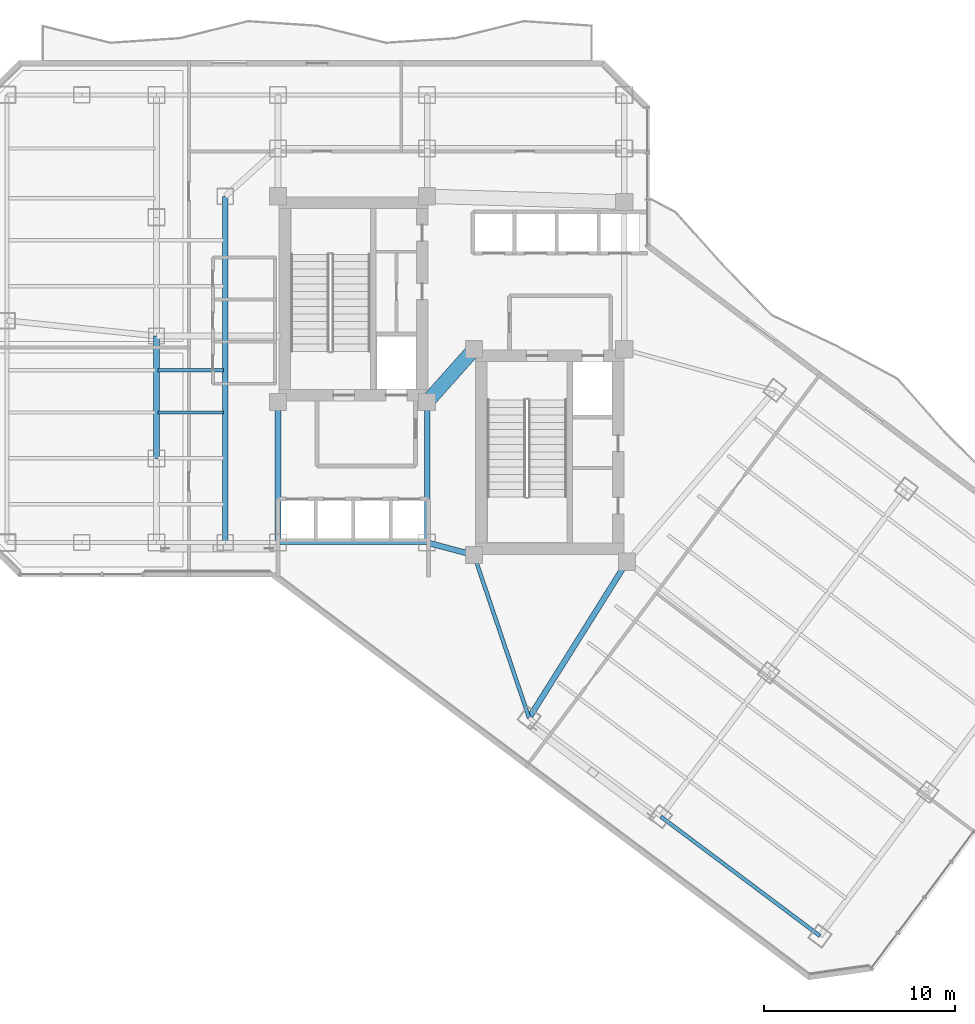
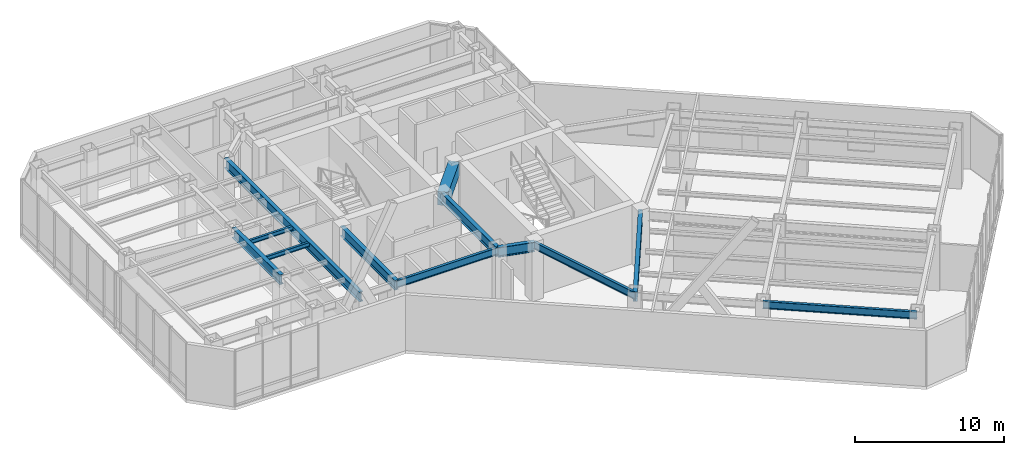
# One storey, part 4 of 27: 12 beams.
"""IFC4 building model written with IfcOpenShell, lengths in metres."""

from ifc_helpers import new_model, si_unit, direction, frame, origin, origin_2d, place, context, subcontext, project, spatial, rectangle, i_section, extrude, material, material_profile, profile_set, type_object, element, save


model = new_model("IFC4")

# Units and contexts
model_context = context("Model", 3, precision=1e-05, world=origin(), true_north=direction((0.0, 1.0)))
body_context = subcontext(model_context, "Body", "Model", "MODEL_VIEW")
ifc_project = project(units=[si_unit("LENGTHUNIT", "METRE"), si_unit("AREAUNIT", "SQUARE_METRE"), si_unit("VOLUMEUNIT", "CUBIC_METRE"), si_unit("PLANEANGLEUNIT", "RADIAN"), si_unit("MASSUNIT", "GRAM", prefix="KILO")], contexts=[model_context])

# Site, building, storey
site_placement = place(None, origin())
site = spatial("IfcSite", under=ifc_project, at=site_placement, CompositionType="ELEMENT")
building_placement = place(site_placement, origin())
building = spatial("IfcBuilding", under=site, at=building_placement, Name="Hatsunagi Terrace Concourse", CompositionType="ELEMENT")
storey_placement = place(building_placement, frame((0.0, 0.0, 96.449951171875)))
storey = spatial("IfcBuildingStorey", under=building, at=storey_placement, Name="L25", CompositionType="ELEMENT", Elevation=96.449951171875)

# Beams
ifc_material_1 = material(Name="Concrete Fc48", Category="concrete")
ifc_material_profile_1 = material_profile(ifc_material_1, rectangle(XDim=0.75, YDim=1.10009765625, at=origin_2d()), Name="RC-750x1100")
ifc_profile_set_1 = profile_set([ifc_material_profile_1], Name="Concrete Fc48")
beam_type_1 = type_object("IfcBeamType", Name="CoreCouplingBeam_RC_750x1100", PredefinedType="BEAM", material=ifc_profile_set_1)
beam_1_placement = place(storey_placement, frame((33.35009765625, 32.550048828125, 4.0), z_axis=(0.665198651008, 0.746666427997, 0.0), x_axis=(-0.746666427997, 0.665198651008, 0.0)))
element("IfcBeam", 1, at=beam_1_placement, inside=storey, type_object=beam_type_1, Name="Beam CB-02 CB-L25-1", PredefinedType="BEAM", context=body_context, shape_type="SweptSolid", body=[
    extrude(rectangle(XDim=0.75, YDim=1.10009765625, at=origin_2d()), origin(), (0.0, 0.0, 1.0), 3.68310546875),
])
ifc_material_2 = material(Name="Steel SN490B", Category="steel")
ifc_material_profile_2 = material_profile(ifc_material_2, i_section(OverallWidth=0.175048828125, OverallDepth=0.35009765625, WebThickness=0.007080078125, FlangeThickness=0.010986328125, FilletRadius=0.012939453125, at=origin_2d()), Name="H-350x175x7x11")
ifc_profile_set_2 = profile_set([ifc_material_profile_2], Name="Steel SN490B")
beam_type_2 = type_object("IfcBeamType", Name="HotelJoist_H_350x175", PredefinedType="JOIST", material=ifc_profile_set_2)
for number, where, z_axis, x_axis, name in (
    (2, (19.284912109375, 32.0, 4.375), (1.0, 0.0, 0.0), (0.0, 1.0, 0.0), "Beam J-02 J-L25-W-19-320"),
    (3, (19.284912109375, 34.199951171875, 4.375), (1.0, 0.0, 0.0), (0.0, 1.0, 0.0), "Beam J-02 J-L25-W-19-342"),
):
    element("IfcBeam", number, at=place(storey_placement, frame(where, z_axis=z_axis, x_axis=x_axis)), inside=storey, type_object=beam_type_2, Name=name, PredefinedType="JOIST", context=body_context, shape_type="SweptSolid", body=[
        extrude(i_section(OverallWidth=0.175048828125, OverallDepth=0.35009765625, WebThickness=0.007080078125, FlangeThickness=0.010986328125, FilletRadius=0.012939453125, at=origin_2d()), origin(), (0.0, 0.0, 1.0), 3.43017578125),
    ])
ifc_material_3 = material(Name="Steel SN490B", Category="steel")
ifc_material_profile_3 = material_profile(ifc_material_3, i_section(OverallWidth=0.199951171875, OverallDepth=0.60009765625, WebThickness=0.010986328125, FlangeThickness=0.01708984375, FilletRadius=0.01806640625, at=origin_2d()), Name="H-600x200x11x17")
ifc_profile_set_3 = profile_set([ifc_material_profile_3], Name="Steel SN490B")
beam_type_3 = type_object("IfcBeamType", Name="PerimeterSpandrel_H_600x200", PredefinedType="SPANDREL", material=ifc_profile_set_3)
beam_2_placement = place(storey_placement, frame((25.550048828125, 25.199951171875, 4.25), z_axis=(1.0, 0.0, 0.0), x_axis=(0.0, 1.0, 0.0)))
element("IfcBeam", 4, at=beam_2_placement, inside=storey, type_object=beam_type_3, Name="Beam SP-01 BM-L25-WS-25", PredefinedType="SPANDREL", context=body_context, shape_type="SweptSolid", body=[
    extrude(i_section(OverallWidth=0.199951171875, OverallDepth=0.60009765625, WebThickness=0.010986328125, FlangeThickness=0.01708984375, FilletRadius=0.01806640625, at=origin_2d()), origin(), (0.0, 0.0, 1.0), 7.800048828125),
])
beam_3_placement = place(storey_placement, frame((35.800048828125, 24.550048828125, 4.25), z_axis=(0.320553412271, -0.947230441805, 0.0), x_axis=(0.947230441805, 0.320553412271, 0.0)))
element("IfcBeam", 5, at=beam_3_placement, inside=storey, type_object=beam_type_3, Name="Beam SP-01 BM-L25-SE-SW0", PredefinedType="SPANDREL", context=body_context, shape_type="SweptSolid", body=[
    extrude(i_section(OverallWidth=0.199951171875, OverallDepth=0.60009765625, WebThickness=0.010986328125, FlangeThickness=0.01708984375, FilletRadius=0.01806640625, at=origin_2d()), origin(), (0.0, 0.0, 1.0), 8.984130859375),
])
beam_4_placement = place(storey_placement, frame((45.56005859375, 10.8798828125, 4.25), z_axis=(0.799994365871, -0.600007512099, 0.0), x_axis=(0.600007512099, 0.799994365871, 0.0)))
element("IfcBeam", 6, at=beam_4_placement, inside=storey, type_object=beam_type_3, Name="Beam SP-01 BM-L25-SE-SW3", PredefinedType="SPANDREL", context=body_context, shape_type="SweptSolid", body=[
    extrude(i_section(OverallWidth=0.199951171875, OverallDepth=0.60009765625, WebThickness=0.010986328125, FlangeThickness=0.01708984375, FilletRadius=0.01806640625, at=origin_2d()), origin(), (0.0, 0.0, 1.0), 10.39990234375),
])
ifc_material_4 = material(Name="Steel SN490B", Category="steel")
ifc_material_profile_4 = material_profile(ifc_material_4, i_section(OverallWidth=0.300048828125, OverallDepth=0.800048828125, WebThickness=0.013916015625, FlangeThickness=0.02587890625, FilletRadius=0.02197265625, at=origin_2d()), Name="H-800x300x14x26")
ifc_profile_set_4 = profile_set([ifc_material_profile_4], Name="Steel SN490B")
beam_type_4 = type_object("IfcBeamType", Name="SkyLobbyGirder_H_800x300", PredefinedType="BEAM", material=ifc_profile_set_4)
for number, where, z_axis, x_axis, name in (
    (7, (25.550048828125, 25.199951171875, 4.150146484375), (0.0, 1.0, 0.0), (-1.0, 0.0, 0.0), "Beam G-03 BM-L25-K1CA"),
    (8, (33.35009765625, 25.199951171875, 4.150146484375), (0.0, 1.0, 0.0), (-1.0, 0.0, 0.0), "Beam G-03 BM-L25-K2CA"),
):
    element("IfcBeam", number, at=place(storey_placement, frame(where, z_axis=z_axis, x_axis=x_axis)), inside=storey, type_object=beam_type_4, Name=name, PredefinedType="BEAM", context=body_context, shape_type="SweptSolid", body=[
        extrude(i_section(OverallWidth=0.300048828125, OverallDepth=0.800048828125, WebThickness=0.013916015625, FlangeThickness=0.02587890625, FilletRadius=0.02197265625, at=origin_2d()), origin(), (0.0, 0.0, 1.0), 7.35009765625),
    ])
beam_5_placement = place(storey_placement, frame((33.35009765625, 25.199951171875, 4.150146484375), z_axis=(0.966569840116, -0.256403479262, 0.0), x_axis=(0.256403479262, 0.966569840116, 0.0)))
element("IfcBeam", 9, at=beam_5_placement, inside=storey, type_object=beam_type_4, Name="Beam G-03 BM-L25-K2CB", PredefinedType="BEAM", context=body_context, shape_type="SweptSolid", body=[
    extrude(i_section(OverallWidth=0.300048828125, OverallDepth=0.800048828125, WebThickness=0.013916015625, FlangeThickness=0.02587890625, FilletRadius=0.02197265625, at=origin_2d()), origin(), (0.0, 0.0, 1.0), 2.53466796875),
])
beam_6_placement = place(storey_placement, frame((22.800048828125, 25.199951171875, 4.150146484375), z_axis=(0.0, 1.0, 0.0), x_axis=(-1.0, 0.0, 0.0)))
element("IfcBeam", 10, at=beam_6_placement, inside=storey, type_object=beam_type_4, Name="Beam G-03 BM-L25-CWNS", PredefinedType="BEAM", context=body_context, shape_type="SweptSolid", body=[
    extrude(i_section(OverallWidth=0.300048828125, OverallDepth=0.800048828125, WebThickness=0.013916015625, FlangeThickness=0.02587890625, FilletRadius=0.02197265625, at=origin_2d()), origin(), (0.0, 0.0, 1.0), 18.10009765625),
])
beam_7_placement = place(storey_placement, frame((19.199951171875, 29.60009765625, 4.150146484375), z_axis=(0.0, 1.0, 0.0), x_axis=(-1.0, 0.0, 0.0)))
element("IfcBeam", 11, at=beam_7_placement, inside=storey, type_object=beam_type_4, Name="Beam G-03 BM-L25-NS-19-29", PredefinedType="BEAM", context=body_context, shape_type="SweptSolid", body=[
    extrude(i_section(OverallWidth=0.300048828125, OverallDepth=0.800048828125, WebThickness=0.013916015625, FlangeThickness=0.02587890625, FilletRadius=0.02197265625, at=origin_2d()), origin(), (0.0, 0.0, 1.0), 6.39990234375),
])
beam_8_placement = place(storey_placement, frame((38.679931640625, 16.0400390625, 4.150146484375), z_axis=(0.531503907049, 0.847055840421, 0.0), x_axis=(-0.847055840421, 0.531503907049, 0.0)))
element("IfcBeam", 12, at=beam_8_placement, inside=storey, type_object=beam_type_4, Name="Beam G-03 BM-L25-SET-1A", PredefinedType="BEAM", context=body_context, shape_type="SweptSolid", body=[
    extrude(i_section(OverallWidth=0.300048828125, OverallDepth=0.800048828125, WebThickness=0.013916015625, FlangeThickness=0.02587890625, FilletRadius=0.02197265625, at=origin_2d()), origin(), (0.0, 0.0, 1.0), 9.63330078125),
])

save(model, "model.ifc")
